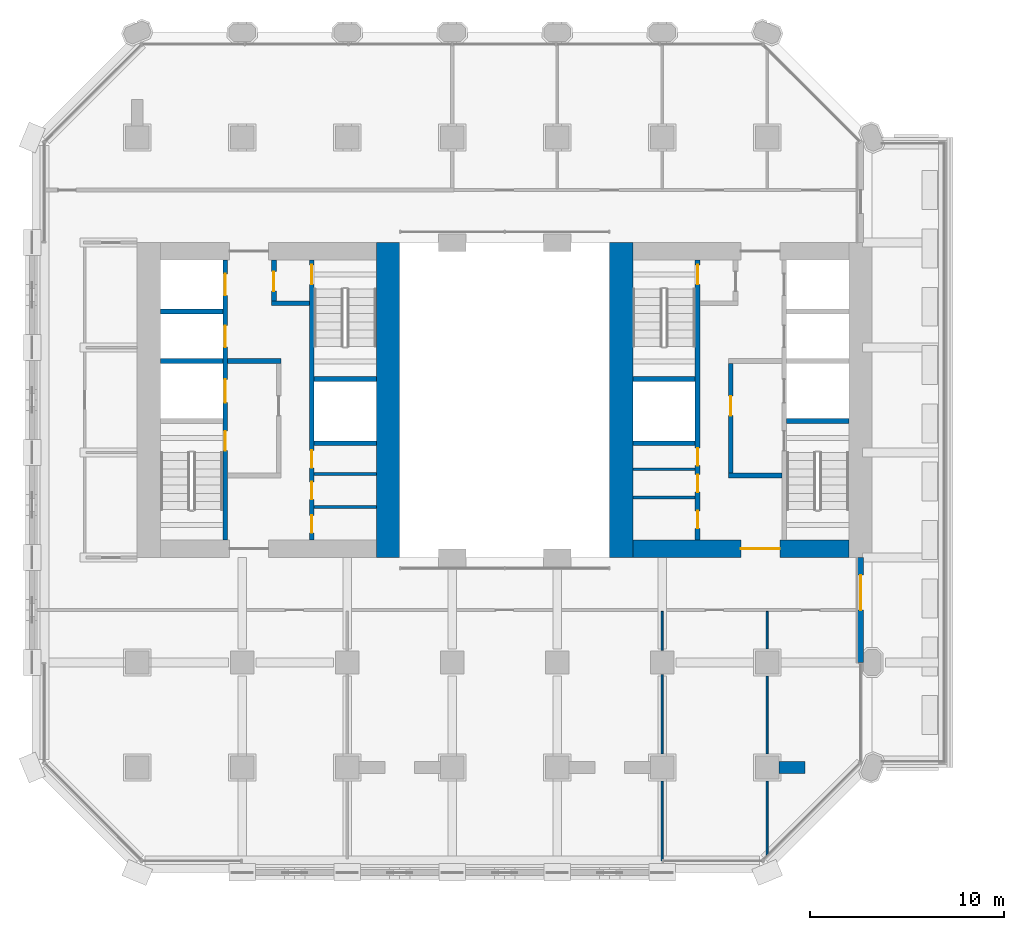
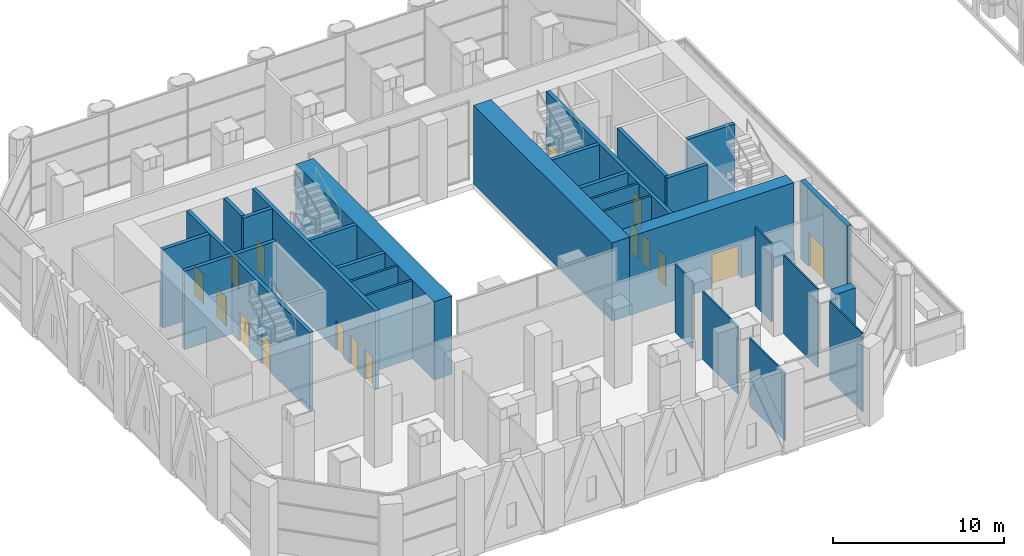
# One storey, part 13 of 34: 30 walls, 16 doors, 16 openings.
"""IFC4 building model written with IfcOpenShell, lengths in metres."""

import ifcopenshell
import ifcopenshell.guid

model = None  # the IFC model being written
_history = None  # IfcOwnerHistory: only IFC2X3 demands one
_inside = {}  # id of a spatial element -> (the spatial element, [elements in it])
_under = {}  # id of a project, library or spatial element -> (it, [spatial elements below it])
_declared = {}  # id of a project -> (the project, [libraries it declares])
_typed = {}  # id of a type object -> (the type object, [elements of that type])
_made_of = {}  # id of a material, layer set ... -> (it, [elements and type objects made of it])


def new_model(schema):
    """Start an empty IFC model of exactly this schema.

    Asked for "IFC4X3", IfcOpenShell would pick the latest addendum, in which some entities
    have other attributes; the version numbers below select the first issue.
    IFC2X3 requires an IfcOwnerHistory on every rooted entity: one is made here for all.
    """
    global model, _history
    if schema == "IFC4X3":
        model = ifcopenshell.file(schema_version=(4, 3, 0, 0))
    else:
        model = ifcopenshell.file(schema=schema)
    _inside.clear()
    _under.clear()
    _declared.clear()
    _typed.clear()
    _made_of.clear()
    _history = None
    if model.schema == "IFC2X3":
        org = make("IfcOrganization", Name="unknown")
        user = make(
            "IfcPersonAndOrganization",
            ThePerson=make("IfcPerson", FamilyName="unknown"),
            TheOrganization=org,
        )
        app = make(
            "IfcApplication",
            ApplicationDeveloper=org,
            Version="unknown",
            ApplicationFullName="unknown",
            ApplicationIdentifier="unknown",
        )
        _history = make(
            "IfcOwnerHistory",
            OwningUser=user,
            OwningApplication=app,
            ChangeAction="ADDED",
            CreationDate=0,
        )
    return model


def make(cls, **values):
    """One entity of the class cls with the attributes given. An attribute that is None is left unset."""
    return model.create_entity(
        cls, **{name: value for name, value in values.items() if value is not None}
    )


def rooted(cls, **values):
    """An entity with a GlobalId (a new one), such as an element, a storey or a relation."""
    return make(cls, GlobalId=ifcopenshell.guid.new(), OwnerHistory=_history, **values)


def si_unit(unit_type, name, prefix=None):
    """IfcSIUnit, for example si_unit("LENGTHUNIT", "METRE", prefix="MILLI")."""
    return make("IfcSIUnit", UnitType=unit_type, Prefix=prefix, Name=name)


def assignment(units):
    """IfcUnitAssignment: the units of a project."""
    return None if units is None else make("IfcUnitAssignment", Units=units)


def point(xyz):
    """IfcCartesianPoint."""
    return None if xyz is None else make("IfcCartesianPoint", Coordinates=xyz)


def direction(xyz):
    """IfcDirection."""
    return None if xyz is None else make("IfcDirection", DirectionRatios=xyz)


def frame(location, z_axis=None, x_axis=None):
    """IfcAxis2Placement3D, a coordinate frame: its origin and axes. An axis left out is left unset."""
    return make(
        "IfcAxis2Placement3D",
        Location=point(location),
        Axis=direction(z_axis),
        RefDirection=direction(x_axis),
    )


def frame_2d(location, x_axis=None):
    """IfcAxis2Placement2D, a coordinate frame in the plane: its origin and x axis."""
    return make(
        "IfcAxis2Placement2D", Location=point(location), RefDirection=direction(x_axis)
    )


def origin():
    """The frame at (0, 0, 0) with its axes left unset."""
    return frame((0.0, 0.0, 0.0))


def place(relative_to, where):
    """IfcLocalPlacement: puts the frame where relative to a parent placement (None: the world)."""
    return make(
        "IfcLocalPlacement", PlacementRelTo=relative_to, RelativePlacement=where
    )


def context(
    kind, dimensions, precision=None, world=None, true_north=None, identifier=None
):
    """IfcGeometricRepresentationContext, for example the 3D "Model" context."""
    return make(
        "IfcGeometricRepresentationContext",
        ContextIdentifier=identifier,
        ContextType=kind,
        CoordinateSpaceDimension=dimensions,
        Precision=precision,
        WorldCoordinateSystem=world,
        TrueNorth=true_north,
    )


def subcontext(parent, identifier, kind, view, scale=None):
    """IfcGeometricRepresentationSubContext, for example "Body" below "Model"."""
    return make(
        "IfcGeometricRepresentationSubContext",
        ContextIdentifier=identifier,
        ContextType=kind,
        ParentContext=parent,
        TargetScale=scale,
        TargetView=view,
    )


def project(units=None, contexts=None):
    """IfcProject with its units and contexts."""
    return rooted(
        "IfcProject",
        Name="project",
        RepresentationContexts=contexts,
        UnitsInContext=assignment(units),
    )


def spatial(cls, under=None, at=None, **own):
    """A site, building, storey or space (cls), placed at a placement, below another one or the project."""
    s = rooted(cls, ObjectPlacement=at, **own)
    if under is not None:
        _under.setdefault(under.id(), (under, []))[1].append(s)
    return s


def profile(cls, at=None, kind="AREA", **sizes):
    """A parametric profile (cls). Its sizes go by their IFC names, for example OverallWidth=200.0."""
    return make(cls, ProfileType=kind, Position=at, **sizes)


def rectangle(**sizes):
    """IfcRectangleProfileDef."""
    return profile("IfcRectangleProfileDef", **sizes)


def extrude(swept, where, along, depth):
    """IfcExtrudedAreaSolid: the profile swept, set in the frame where, extruded along a direction by depth."""
    return make(
        "IfcExtrudedAreaSolid",
        SweptArea=swept,
        Position=where,
        ExtrudedDirection=direction(along),
        Depth=depth,
    )


def shape(context_of_items, identifier, shape_type, items):
    """IfcShapeRepresentation: the items that make up one representation, for example the "Body"."""
    return make(
        "IfcShapeRepresentation",
        ContextOfItems=context_of_items,
        RepresentationIdentifier=identifier,
        RepresentationType=shape_type,
        Items=items,
    )


def material(Name=None, Category=None):
    """IfcMaterial."""
    return make("IfcMaterial", Name=Name, Category=Category)


def layer(
    of_material, thickness, ventilated=None, Name=None, Category=None, Priority=None
):
    """IfcMaterialLayer: one layer of a wall or slab, of a material (None: an air gap)."""
    return make(
        "IfcMaterialLayer",
        Material=of_material,
        LayerThickness=thickness,
        IsVentilated=ventilated,
        Name=Name,
        Category=Category,
        Priority=Priority,
    )


def layer_set(layers, Name=None):
    """IfcMaterialLayerSet."""
    return make("IfcMaterialLayerSet", MaterialLayers=layers, LayerSetName=Name)


def made_of(thing, what):
    """Note that an element or type object is made of a material, layer set ...; save() writes the relation."""
    if what is not None:
        _made_of.setdefault(what.id(), (what, []))[1].append(thing)
    return thing


def type_object(cls, material=None, **own):
    """A type object (cls), such as IfcWallType, which elements share."""
    return made_of(rooted(cls, **own), material)


def element(
    cls,
    number,
    at=None,
    inside=None,
    cuts=None,
    type_object=None,
    material=None,
    context=None,
    identifier="Body",
    shape_type=None,
    held_by="IfcProductDefinitionShape",
    body=None,
    shapes=None,
    **own,
):
    """One element of the class cls, such as IfcWall. Its Tag is "e" and its number.

    at: its placement. inside: the storey or other place that contains it. cuts: it is an
    opening in that element (IfcRelVoidsElement). A single representation is given by context,
    identifier, shape_type and body (its items); several are given by shapes. held_by: the class
    of the entity that holds the representations. save() writes the other relations.
    """
    e = rooted(cls, Tag="e%d" % number, ObjectPlacement=at, **own)
    if body is not None:
        shapes = [shape(context, identifier, shape_type, body)]
    if shapes is not None:
        e.Representation = make(held_by, Representations=shapes)
    if inside is not None:
        _inside.setdefault(inside.id(), (inside, []))[1].append(e)
    if cuts is not None:
        rooted(
            "IfcRelVoidsElement", RelatingBuildingElement=cuts, RelatedOpeningElement=e
        )
    if type_object is not None:
        _typed.setdefault(type_object.id(), (type_object, []))[1].append(e)
    return made_of(e, material)


def fill(opening, filler):
    """IfcRelFillsElement: the door or window that sits in an opening."""
    return rooted(
        "IfcRelFillsElement",
        RelatingOpeningElement=opening,
        RelatedBuildingElement=filler,
    )


def aggregate(whole, parts):
    """IfcRelAggregates: a whole, such as a stair, and the parts it consists of."""
    return rooted("IfcRelAggregates", RelatingObject=whole, RelatedObjects=parts)


def save(model, path):
    """Write the relations noted so far, then the file.

    IfcRelAggregates (storeys below a building ...), IfcRelContainedInSpatialStructure (elements
    in a storey), IfcRelDefinesByType, IfcRelAssociatesMaterial and IfcRelDeclares: one each for
    every whole, place, type object, material and project.
    """
    for whole, parts in _under.values():
        aggregate(whole, parts)
    for where, things in _inside.values():
        rooted(
            "IfcRelContainedInSpatialStructure",
            RelatedElements=things,
            RelatingStructure=where,
        )
    for kind, things in _typed.values():
        rooted("IfcRelDefinesByType", RelatedObjects=things, RelatingType=kind)
    for what, things in _made_of.values():
        rooted("IfcRelAssociatesMaterial", RelatedObjects=things, RelatingMaterial=what)
    for by, libraries in _declared.values():
        rooted("IfcRelDeclares", RelatingContext=by, RelatedDefinitions=libraries)
    model.write(path)


model = new_model("IFC4")

# Units and contexts
model_context = context("Model", 3, precision=1e-05, world=origin(), true_north=direction((0.0, 1.0)))
body_context = subcontext(model_context, "Body", "Model", "MODEL_VIEW")
ifc_project = project(units=[si_unit("LENGTHUNIT", "METRE"), si_unit("AREAUNIT", "SQUARE_METRE"), si_unit("VOLUMEUNIT", "CUBIC_METRE"), si_unit("PLANEANGLEUNIT", "RADIAN"), si_unit("MASSUNIT", "GRAM", prefix="KILO")], contexts=[model_context])

# Site, building, storey
site_placement = place(None, origin())
site = spatial("IfcSite", under=ifc_project, at=site_placement, CompositionType="ELEMENT")
building_placement = place(site_placement, origin())
building = spatial("IfcBuilding", under=site, at=building_placement, Name="Tabaq Tower and Sports Hall", CompositionType="ELEMENT")
storey_placement = place(building_placement, frame((0.0, 0.0, 8.39990234375)))
storey = spatial("IfcBuildingStorey", under=building, at=storey_placement, Name="L01", CompositionType="ELEMENT", Elevation=8.39990234375)

# Walls
ifc_material_1 = material(Name="Blockwork", Category="masonry")
ifc_layer_1 = layer(ifc_material_1, 0.14990234375)
ifc_layer_set_1 = layer_set([ifc_layer_1], Name="Core room partition 150 Blockwork")
wall_type_1 = type_object("IfcWallType", Name="Core room partition 150 Blockwork", PredefinedType="PARTITIONING", material=ifc_layer_set_1)
for number, where, z_axis, x_axis, name in (
    (1, (14.5, 18.797119140625, 0.0), (0.0, 0.0, 1.0), (1.0, 0.0, 0.0), "Core room partition W L01"),
    (2, (14.5, 20.493896484375, 0.0), (0.0, 0.0, 1.0), (1.0, 0.0, 0.0), "Core room partition W L01"),
):
    element("IfcWall", number, at=place(storey_placement, frame(where, z_axis=z_axis, x_axis=x_axis)), inside=storey, type_object=wall_type_1, Name=name, PredefinedType="PARTITIONING", context=body_context, shape_type="SweptSolid", body=[
        extrude(rectangle(XDim=3.199951171875, YDim=0.14990234375, at=frame_2d((1.60009765625, 0.0))), origin(), (0.0, 0.0, 1.0), 5.60009765625),
    ])
for number, where, z_axis, x_axis, name in (
    (3, (30.89990234375, 19.282958984375, 0.0), (0.0, 0.0, 1.0), (1.0, 0.0, 0.0), "Core room partition E L01"),
    (4, (30.89990234375, 20.738037109375, 0.0), (0.0, 0.0, 1.0), (1.0, 0.0, 0.0), "Core room partition E L01"),
):
    element("IfcWall", number, at=place(storey_placement, frame(where, z_axis=z_axis, x_axis=x_axis)), inside=storey, type_object=wall_type_1, Name=name, PredefinedType="PARTITIONING", context=body_context, shape_type="SweptSolid", body=[
        extrude(rectangle(XDim=3.2001953125, YDim=0.14990234375, at=frame_2d((1.60009765625, 0.0))), origin(), (0.0, 0.0, 1.0), 5.60009765625),
    ])
ifc_material_2 = material(Name="Concrete C60/75", Category="concrete")
ifc_layer_2 = layer(ifc_material_2, 1.199951171875)
ifc_layer_set_2 = layer_set([ifc_layer_2], Name="Core wall 1200 Concrete C60/75")
wall_type_2 = type_object("IfcWallType", Name="Core wall 1200 Concrete C60/75", PredefinedType="SOLIDWALL", material=ifc_layer_set_2)
for number, where, z_axis, x_axis, name in (
    (5, (18.300048828125, 32.39990234375, 0.0), (0.0, 0.0, 1.0), (0.0, -1.0, 0.0), "Core wall W L01"),
    (6, (30.300048828125, 16.199951171875, 0.0), (0.0, 0.0, 1.0), (0.0, 1.0, 0.0), "Core wall E L01"),
):
    element("IfcWall", number, at=place(storey_placement, frame(where, z_axis=z_axis, x_axis=x_axis)), inside=storey, type_object=wall_type_2, Name=name, PredefinedType="SOLIDWALL", context=body_context, shape_type="SweptSolid", body=[
        extrude(rectangle(XDim=16.199951171875, YDim=1.199951171875, at=frame_2d((8.10009765625, 0.0))), origin(), (0.0, 0.0, 1.0), 5.60009765625),
    ])

# Wall, opening, door
ifc_material_3 = material(Name="Concrete C60/75", Category="concrete")
ifc_layer_3 = layer(ifc_material_3, 0.89990234375)
ifc_layer_set_3 = layer_set([ifc_layer_3], Name="Core wall 900 Concrete C60/75")
wall_type_3 = type_object("IfcWallType", Name="Core wall 900 Concrete C60/75", PredefinedType="SOLIDWALL", material=ifc_layer_set_3)
wall_1_placement = place(storey_placement, frame((42.0, 16.64990234375, 0.0), z_axis=(0.0, 0.0, 1.0), x_axis=(-1.0, 0.0, 0.0)))
wall_1 = element("IfcWall", 7, at=wall_1_placement, inside=storey, type_object=wall_type_3, Name="Core wall E L01", PredefinedType="SOLIDWALL", context=body_context, shape_type="SweptSolid", body=[
    extrude(rectangle(XDim=11.10009765625, YDim=0.89990234375, at=frame_2d((5.550048828125, 0.0))), origin(), (0.0, 0.0, 1.0), 5.60009765625),
])
opening_1_placement = place(wall_1_placement, frame((3.550048828125, 0.0, 0.0)))
opening_1 = element("IfcOpeningElement", 8, at=opening_1_placement, cuts=wall_1, Name="Opening PD-EL01-01", PredefinedType="OPENING", context=body_context, shape_type="SweptSolid", body=[
    extrude(rectangle(XDim=2.0, YDim=2.39990234375, at=frame_2d((1.0, 1.199951171875))), frame((0.0, 0.449951171875, 0.0), z_axis=(0.0, -1.0, 0.0), x_axis=(1.0, 0.0, 0.0)), (0.0, 0.0, 1.0), 0.89990234375),
])
ifc_material_4 = material(Name="Steel fire door", Category="steel")
door_type_1 = type_object("IfcDoorType", Name="Core entrance door 2000", OperationType="DOUBLE_DOOR_SINGLE_SWING", PredefinedType="DOOR", material=ifc_material_4)
door_1_placement = place(opening_1_placement, origin())
door_1 = element("IfcDoor", 9, at=door_1_placement, inside=storey, type_object=door_type_1, Name="Core entrance south E L01", OperationType="DOUBLE_DOOR_SINGLE_SWING", OverallHeight=2.39990234375, OverallWidth=2.0, PredefinedType="DOOR", context=body_context, shape_type="SweptSolid", body=[
    extrude(rectangle(XDim=2.0, YDim=2.39990234375, at=frame_2d((1.0, 1.199951171875))), frame((0.0, 0.02490234375, 0.0), z_axis=(0.0, -1.0, 0.0), x_axis=(1.0, 0.0, 0.0)), (0.0, 0.0, 1.0), 0.050048828125),
])
fill(opening_1, door_1)

# Walls
ifc_material_5 = material(Name="Gypsum board on steel studs", Category="steel")
ifc_layer_4 = layer(ifc_material_5, 0.10009765625)
ifc_layer_set_4 = layer_set([ifc_layer_4], Name="Partition 100 Gypsum board")
wall_type_4 = type_object("IfcWallType", Name="Partition 100 Gypsum board", PredefinedType="PARTITIONING", material=ifc_layer_set_4)
wall_2_placement = place(storey_placement, frame((32.39990234375, 13.425048828125, 0.0), z_axis=(0.0, 0.0, 1.0), x_axis=(0.0, -1.0, 0.0)))
element("IfcWall", 10, at=wall_2_placement, inside=storey, type_object=wall_type_4, Name="Partition wall L01", PredefinedType="PARTITIONING", context=body_context, shape_type="SweptSolid", body=[
    extrude(rectangle(XDim=2.005126953125, YDim=0.10009765625, at=frame_2d((1.00244140625, 0.0))), origin(), (0.0, 0.0, 1.0), 4.85009765625),
])
wall_3_placement = place(storey_placement, frame((32.39990234375, 10.179931640625, 0.0), z_axis=(0.0, 0.0, 1.0), x_axis=(0.0, -1.0, 0.0)))
element("IfcWall", 11, at=wall_3_placement, inside=storey, type_object=wall_type_4, Name="Partition wall L01", PredefinedType="PARTITIONING", context=body_context, shape_type="SweptSolid", body=[
    extrude(rectangle(XDim=4.079345703125, YDim=0.10009765625, at=frame_2d((2.03955078125, 0.0))), origin(), (0.0, 0.0, 1.0), 4.85009765625),
])
wall_4_placement = place(storey_placement, frame((32.39990234375, 4.69921875, 0.0), z_axis=(0.0, 0.0, 1.0), x_axis=(0.0, -1.0, 0.0)))
element("IfcWall", 12, at=wall_4_placement, inside=storey, type_object=wall_type_4, Name="Partition wall L01", PredefinedType="PARTITIONING", context=body_context, shape_type="SweptSolid", body=[
    extrude(rectangle(XDim=4.09912109375, YDim=0.10009765625, at=frame_2d((2.049560546875, 0.0))), origin(), (0.0, 0.0, 1.0), 4.85009765625),
])
wall_5_placement = place(storey_placement, frame((37.800048828125, 0.8984375, 0.0), z_axis=(0.0, 0.0, 1.0), x_axis=(0.0, 1.0, 0.0)))
element("IfcWall", 13, at=wall_5_placement, inside=storey, type_object=wall_type_4, Name="Partition wall L01", PredefinedType="PARTITIONING", context=body_context, shape_type="SweptSolid", body=[
    extrude(rectangle(XDim=3.80078125, YDim=0.10009765625, at=frame_2d((1.900390625, 0.0))), origin(), (0.0, 0.0, 1.0), 5.60009765625),
])
wall_6_placement = place(storey_placement, frame((37.800048828125, 6.1005859375, 0.0), z_axis=(0.0, 0.0, 1.0), x_axis=(0.0, 1.0, 0.0)))
element("IfcWall", 14, at=wall_6_placement, inside=storey, type_object=wall_type_4, Name="Partition wall L01", PredefinedType="PARTITIONING", context=body_context, shape_type="SweptSolid", body=[
    extrude(rectangle(XDim=3.998779296875, YDim=0.10009765625, at=frame_2d((1.99951171875, 0.0))), origin(), (0.0, 0.0, 1.0), 5.60009765625),
])
wall_7_placement = place(storey_placement, frame((37.800048828125, 11.500732421875, 0.0), z_axis=(0.0, 0.0, 1.0), x_axis=(0.0, 1.0, 0.0)))
element("IfcWall", 15, at=wall_7_placement, inside=storey, type_object=wall_type_4, Name="Partition wall L01", PredefinedType="PARTITIONING", context=body_context, shape_type="SweptSolid", body=[
    extrude(rectangle(XDim=1.92431640625, YDim=0.10009765625, at=frame_2d((0.962158203125, 0.0))), origin(), (0.0, 0.0, 1.0), 5.60009765625),
])
ifc_material_6 = material(Name="Concrete C60/75", Category="concrete")
ifc_layer_5 = layer(ifc_material_6, 0.60009765625)
ifc_layer_set_5 = layer_set([ifc_layer_5], Name="RC TRANSFER WALL 600 C60/75")
wall_type_5 = type_object("IfcWallType", Name="RC TRANSFER WALL 600 C60/75", PredefinedType="SHEAR", material=ifc_layer_set_5)
wall_8_placement = place(storey_placement, frame((38.39990234375, 5.39990234375, 0.0), z_axis=(0.0, 0.0, 1.0), x_axis=(1.0, 0.0, 0.0)))
element("IfcWall", 16, at=wall_8_placement, inside=storey, type_object=wall_type_5, Name="Transfer Wall L01 South 7", PredefinedType="SHEAR", context=body_context, shape_type="SweptSolid", body=[
    extrude(rectangle(XDim=1.356201171875, YDim=0.60009765625, at=frame_2d((0.67822265625, 0.0))), origin(), (0.0, 0.0, 1.0), 5.60009765625),
])

# Wall, openings, doors
ifc_material_7 = material(Name="Concrete C40/50", Category="concrete")
ifc_layer_6 = layer(ifc_material_7, 0.25)
ifc_layer_set_6 = layer_set([ifc_layer_6], Name="Shaft and stair wall 250 Concrete C40/50")
wall_type_6 = type_object("IfcWallType", Name="Shaft and stair wall 250 Concrete C40/50", PredefinedType="SOLIDWALL", material=ifc_layer_set_6)
wall_9_placement = place(storey_placement, frame((9.925048828125, 17.10009765625, 0.0), z_axis=(0.0, 0.0, 1.0), x_axis=(0.0, 1.0, 0.0)))
wall_9 = element("IfcWall", 17, at=wall_9_placement, inside=storey, type_object=wall_type_6, Name="Shaft wall W L01", PredefinedType="SOLIDWALL", context=body_context, shape_type="SweptSolid", body=[
    extrude(rectangle(XDim=14.39990234375, YDim=0.25, at=frame_2d((7.199951171875, 0.0))), origin(), (0.0, 0.0, 1.0), 5.60009765625),
])
opening_2_placement = place(wall_9_placement, frame((4.60009765625, 0.0, 0.0)))
opening_2 = element("IfcOpeningElement", 18, at=opening_2_placement, cuts=wall_9, Name="Opening SD-WL01-03", PredefinedType="OPENING", context=body_context, shape_type="SweptSolid", body=[
    extrude(rectangle(XDim=1.0, YDim=2.10009765625, at=frame_2d((0.5, 1.050048828125))), frame((0.0, 0.125, 0.0), z_axis=(0.0, -1.0, 0.0), x_axis=(1.0, 0.0, 0.0)), (0.0, 0.0, 1.0), 0.25),
])
opening_3_placement = place(wall_9_placement, frame((7.0625, 0.0, 0.0)))
opening_3 = element("IfcOpeningElement", 19, at=opening_3_placement, cuts=wall_9, Name="Opening LD-FF1-L01", PredefinedType="OPENING", context=body_context, shape_type="SweptSolid", body=[
    extrude(rectangle(XDim=1.199951171875, YDim=2.10009765625, at=frame_2d((0.60009765625, 1.050048828125))), frame((0.0, 0.125, 0.0), z_axis=(0.0, -1.0, 0.0), x_axis=(1.0, 0.0, 0.0)), (0.0, 0.0, 1.0), 0.25),
])
opening_4_placement = place(wall_9_placement, frame((9.925048828125, 0.0, 0.0)))
opening_4 = element("IfcOpeningElement", 20, at=opening_4_placement, cuts=wall_9, Name="Opening LD-LR1-L01", PredefinedType="OPENING", context=body_context, shape_type="SweptSolid", body=[
    extrude(rectangle(XDim=1.10009765625, YDim=2.10009765625, at=frame_2d((0.550048828125, 1.050048828125))), frame((0.0, 0.125, 0.0), z_axis=(0.0, -1.0, 0.0), x_axis=(1.0, 0.0, 0.0)), (0.0, 0.0, 1.0), 0.25),
])
opening_5_placement = place(wall_9_placement, frame((12.58740234375, 0.0, 0.0)))
opening_5 = element("IfcOpeningElement", 21, at=opening_5_placement, cuts=wall_9, Name="Opening LD-LR2-L01", PredefinedType="OPENING", context=body_context, shape_type="SweptSolid", body=[
    extrude(rectangle(XDim=1.10009765625, YDim=2.10009765625, at=frame_2d((0.550048828125, 1.050048828125))), frame((0.0, 0.125, 0.0), z_axis=(0.0, -1.0, 0.0), x_axis=(1.0, 0.0, 0.0)), (0.0, 0.0, 1.0), 0.25),
])
ifc_material_8 = material(Name="Stainless steel", Category="steel")
door_type_2 = type_object("IfcDoorType", Name="Lift landing door 1100", OperationType="DOUBLE_DOOR_SLIDING", PredefinedType="DOOR", material=ifc_material_8)
door_2_placement = place(opening_4_placement, origin())
door_2 = element("IfcDoor", 22, at=door_2_placement, inside=storey, type_object=door_type_2, Name="Lift landing door LR1 W L01", OperationType="DOUBLE_DOOR_SLIDING", OverallHeight=2.10009765625, OverallWidth=1.10009765625, PredefinedType="DOOR", context=body_context, shape_type="SweptSolid", body=[
    extrude(rectangle(XDim=1.10009765625, YDim=2.10009765625, at=frame_2d((0.550048828125, 1.050048828125))), frame((0.0, 0.02490234375, 0.0), z_axis=(0.0, -1.0, 0.0), x_axis=(1.0, 0.0, 0.0)), (0.0, 0.0, 1.0), 0.050048828125),
])
fill(opening_4, door_2)
door_3_placement = place(opening_5_placement, origin())
door_3 = element("IfcDoor", 23, at=door_3_placement, inside=storey, type_object=door_type_2, Name="Lift landing door LR2 W L01", OperationType="DOUBLE_DOOR_SLIDING", OverallHeight=2.10009765625, OverallWidth=1.10009765625, PredefinedType="DOOR", context=body_context, shape_type="SweptSolid", body=[
    extrude(rectangle(XDim=1.10009765625, YDim=2.10009765625, at=frame_2d((0.550048828125, 1.050048828125))), frame((0.0, 0.02490234375, 0.0), z_axis=(0.0, -1.0, 0.0), x_axis=(1.0, 0.0, 0.0)), (0.0, 0.0, 1.0), 0.050048828125),
])
fill(opening_5, door_3)
ifc_material_9 = material(Name="Stainless steel", Category="steel")
door_type_3 = type_object("IfcDoorType", Name="Lift landing door 1200", OperationType="DOUBLE_DOOR_SLIDING", PredefinedType="DOOR", material=ifc_material_9)
door_4_placement = place(opening_3_placement, origin())
door_4 = element("IfcDoor", 24, at=door_4_placement, inside=storey, type_object=door_type_3, Name="Lift landing door FF1 W L01", OperationType="DOUBLE_DOOR_SLIDING", OverallHeight=2.10009765625, OverallWidth=1.199951171875, PredefinedType="DOOR", context=body_context, shape_type="SweptSolid", body=[
    extrude(rectangle(XDim=1.199951171875, YDim=2.10009765625, at=frame_2d((0.60009765625, 1.050048828125))), frame((0.0, 0.02490234375, 0.0), z_axis=(0.0, -1.0, 0.0), x_axis=(1.0, 0.0, 0.0)), (0.0, 0.0, 1.0), 0.050048828125),
])
fill(opening_3, door_4)
ifc_material_10 = material(Name="Steel fire door", Category="steel")
door_type_4 = type_object("IfcDoorType", Name="Stair door 1000", OperationType="SINGLE_SWING_LEFT", PredefinedType="DOOR", material=ifc_material_10)
door_5_placement = place(opening_2_placement, origin())
door_5 = element("IfcDoor", 25, at=door_5_placement, inside=storey, type_object=door_type_4, Name="Stair door ST1 W L01", OperationType="SINGLE_SWING_LEFT", OverallHeight=2.10009765625, OverallWidth=1.0, PredefinedType="DOOR", context=body_context, shape_type="SweptSolid", body=[
    extrude(rectangle(XDim=1.0, YDim=2.10009765625, at=frame_2d((0.5, 1.050048828125))), frame((0.0, 0.02490234375, 0.0), z_axis=(0.0, -1.0, 0.0), x_axis=(1.0, 0.0, 0.0)), (0.0, 0.0, 1.0), 0.050048828125),
])
fill(opening_2, door_5)

wall_10_placement = place(storey_placement, frame((14.375, 17.10009765625, 0.0), z_axis=(0.0, 0.0, 1.0), x_axis=(0.0, 1.0, 0.0)))
wall_10 = element("IfcWall", 26, at=wall_10_placement, inside=storey, type_object=wall_type_6, Name="Shaft wall W L01", PredefinedType="SOLIDWALL", context=body_context, shape_type="SweptSolid", body=[
    extrude(rectangle(XDim=14.39990234375, YDim=0.25, at=frame_2d((7.199951171875, 0.0))), origin(), (0.0, 0.0, 1.0), 5.60009765625),
])
opening_6_placement = place(wall_10_placement, frame((13.14990234375, 0.0, 0.0)))
opening_6 = element("IfcOpeningElement", 27, at=opening_6_placement, cuts=wall_10, Name="Opening SD-WL01-05", PredefinedType="OPENING", context=body_context, shape_type="SweptSolid", body=[
    extrude(rectangle(XDim=1.0, YDim=2.10009765625, at=frame_2d((0.5, 1.050048828125))), frame((0.0, 0.125, 0.0), z_axis=(0.0, -1.0, 0.0), x_axis=(1.0, 0.0, 0.0)), (0.0, 0.0, 1.0), 0.25),
])
opening_7_placement = place(wall_10_placement, frame((0.361083984375, 0.0, 0.0)))
opening_7 = element("IfcOpeningElement", 28, at=opening_7_placement, cuts=wall_10, Name="Opening RD-WL01-10", PredefinedType="OPENING", context=body_context, shape_type="SweptSolid", body=[
    extrude(rectangle(XDim=0.89990234375, YDim=2.10009765625, at=frame_2d((0.449951171875, 1.050048828125))), frame((0.0, 0.125, 0.0), z_axis=(0.0, -1.0, 0.0), x_axis=(1.0, 0.0, 0.0)), (0.0, 0.0, 1.0), 0.25),
])
opening_8_placement = place(wall_10_placement, frame((2.095458984375, 0.0, 0.0)))
opening_8 = element("IfcOpeningElement", 29, at=opening_8_placement, cuts=wall_10, Name="Opening RD-WL01-11", PredefinedType="OPENING", context=body_context, shape_type="SweptSolid", body=[
    extrude(rectangle(XDim=0.89990234375, YDim=2.10009765625, at=frame_2d((0.449951171875, 1.050048828125))), frame((0.0, 0.125, 0.0), z_axis=(0.0, -1.0, 0.0), x_axis=(1.0, 0.0, 0.0)), (0.0, 0.0, 1.0), 0.25),
])
opening_9_placement = place(wall_10_placement, frame((3.70947265625, 0.0, 0.0)))
opening_9 = element("IfcOpeningElement", 30, at=opening_9_placement, cuts=wall_10, Name="Opening RD-WL01-12", PredefinedType="OPENING", context=body_context, shape_type="SweptSolid", body=[
    extrude(rectangle(XDim=0.89990234375, YDim=2.10009765625, at=frame_2d((0.449951171875, 1.050048828125))), frame((0.0, 0.125, 0.0), z_axis=(0.0, -1.0, 0.0), x_axis=(1.0, 0.0, 0.0)), (0.0, 0.0, 1.0), 0.25),
])
ifc_material_11 = material(Name="Steel fire door", Category="steel")
door_type_5 = type_object("IfcDoorType", Name="Core room door 900", OperationType="SINGLE_SWING_LEFT", PredefinedType="DOOR", material=ifc_material_11)
door_6_placement = place(opening_7_placement, origin())
door_6 = element("IfcDoor", 31, at=door_6_placement, inside=storey, type_object=door_type_5, Name="Door Accessible WC W L01", OperationType="SINGLE_SWING_LEFT", OverallHeight=2.10009765625, OverallWidth=0.89990234375, PredefinedType="DOOR", context=body_context, shape_type="SweptSolid", body=[
    extrude(rectangle(XDim=0.89990234375, YDim=2.10009765625, at=frame_2d((0.449951171875, 1.050048828125))), frame((0.0, 0.02490234375, 0.0), z_axis=(0.0, -1.0, 0.0), x_axis=(1.0, 0.0, 0.0)), (0.0, 0.0, 1.0), 0.050048828125),
])
fill(opening_7, door_6)
door_7_placement = place(opening_8_placement, origin())
door_7 = element("IfcDoor", 32, at=door_7_placement, inside=storey, type_object=door_type_5, Name="Door Unisex WC W L01", OperationType="SINGLE_SWING_LEFT", OverallHeight=2.10009765625, OverallWidth=0.89990234375, PredefinedType="DOOR", context=body_context, shape_type="SweptSolid", body=[
    extrude(rectangle(XDim=0.89990234375, YDim=2.10009765625, at=frame_2d((0.449951171875, 1.050048828125))), frame((0.0, 0.02490234375, 0.0), z_axis=(0.0, -1.0, 0.0), x_axis=(1.0, 0.0, 0.0)), (0.0, 0.0, 1.0), 0.050048828125),
])
fill(opening_8, door_7)
door_8_placement = place(opening_9_placement, origin())
door_8 = element("IfcDoor", 33, at=door_8_placement, inside=storey, type_object=door_type_5, Name="Door Cleaner's Store W L01", OperationType="SINGLE_SWING_LEFT", OverallHeight=2.10009765625, OverallWidth=0.89990234375, PredefinedType="DOOR", context=body_context, shape_type="SweptSolid", body=[
    extrude(rectangle(XDim=0.89990234375, YDim=2.10009765625, at=frame_2d((0.449951171875, 1.050048828125))), frame((0.0, 0.02490234375, 0.0), z_axis=(0.0, -1.0, 0.0), x_axis=(1.0, 0.0, 0.0)), (0.0, 0.0, 1.0), 0.050048828125),
])
fill(opening_9, door_8)
door_9_placement = place(opening_6_placement, origin())
door_9 = element("IfcDoor", 34, at=door_9_placement, inside=storey, type_object=door_type_4, Name="Stair door ST2 W L01", OperationType="SINGLE_SWING_LEFT", OverallHeight=2.10009765625, OverallWidth=1.0, PredefinedType="DOOR", context=body_context, shape_type="SweptSolid", body=[
    extrude(rectangle(XDim=1.0, YDim=2.10009765625, at=frame_2d((0.5, 1.050048828125))), frame((0.0, 0.02490234375, 0.0), z_axis=(0.0, -1.0, 0.0), x_axis=(1.0, 0.0, 0.0)), (0.0, 0.0, 1.0), 0.050048828125),
])
fill(opening_6, door_9)

# Walls
for number, where, z_axis, x_axis, name in (
    (35, (14.5, 25.375, 0.0), (0.0, 0.0, 1.0), (1.0, 0.0, 0.0), "Stair enclosure wall W L01"),
    (36, (14.5, 22.074951171875, 0.0), (0.0, 0.0, 1.0), (1.0, 0.0, 0.0), "Shaft wall W L01"),
    (37, (6.60009765625, 26.300048828125, 0.0), (0.0, 0.0, 1.0), (1.0, 0.0, 0.0), "Shaft wall W L01"),
):
    element("IfcWall", number, at=place(storey_placement, frame(where, z_axis=z_axis, x_axis=x_axis)), inside=storey, type_object=wall_type_6, Name=name, PredefinedType="SOLIDWALL", context=body_context, shape_type="SweptSolid", body=[
        extrude(rectangle(XDim=3.199951171875, YDim=0.25, at=frame_2d((1.60009765625, 0.0))), origin(), (0.0, 0.0, 1.0), 5.60009765625),
    ])
wall_11_placement = place(storey_placement, frame((10.050048828125, 26.300048828125, 0.0), z_axis=(0.0, 0.0, 1.0), x_axis=(1.0, 0.0, 0.0)))
element("IfcWall", 38, at=wall_11_placement, inside=storey, type_object=wall_type_6, Name="Fire-fighting lobby wall W L01", PredefinedType="SOLIDWALL", context=body_context, shape_type="SweptSolid", body=[
    extrude(rectangle(XDim=2.75, YDim=0.25, at=frame_2d((1.375, 0.0))), origin(), (0.0, 0.0, 1.0), 5.60009765625),
])

# Wall, opening, door
wall_12_placement = place(storey_placement, frame((12.425048828125, 29.39990234375, 0.0), z_axis=(0.0, 0.0, 1.0), x_axis=(0.0, 1.0, 0.0)))
wall_12 = element("IfcWall", 39, at=wall_12_placement, inside=storey, type_object=wall_type_6, Name="Fire-fighting lobby wall W L01", PredefinedType="SOLIDWALL", context=body_context, shape_type="SweptSolid", body=[
    extrude(rectangle(XDim=2.10009765625, YDim=0.25, at=frame_2d((1.050048828125, 0.0))), origin(), (0.0, 0.0, 1.0), 5.60009765625),
])
opening_10_placement = place(wall_12_placement, frame((0.5, 0.0, 0.0)))
opening_10 = element("IfcOpeningElement", 40, at=opening_10_placement, cuts=wall_12, Name="Opening FD-WL01-06", PredefinedType="OPENING", context=body_context, shape_type="SweptSolid", body=[
    extrude(rectangle(XDim=1.0, YDim=2.10009765625, at=frame_2d((0.5, 1.050048828125))), frame((0.0, 0.125, 0.0), z_axis=(0.0, -1.0, 0.0), x_axis=(1.0, 0.0, 0.0)), (0.0, 0.0, 1.0), 0.25),
])
ifc_material_12 = material(Name="Steel fire door", Category="steel")
door_type_6 = type_object("IfcDoorType", Name="Fire-fighting lobby door 1000", OperationType="SINGLE_SWING_LEFT", PredefinedType="DOOR", material=ifc_material_12)
door_10_placement = place(opening_10_placement, origin())
door_10 = element("IfcDoor", 41, at=door_10_placement, inside=storey, type_object=door_type_6, Name="Stair lobby door W L01", OperationType="SINGLE_SWING_LEFT", OverallHeight=2.10009765625, OverallWidth=1.0, PredefinedType="DOOR", context=body_context, shape_type="SweptSolid", body=[
    extrude(rectangle(XDim=1.0, YDim=2.10009765625, at=frame_2d((0.5, 1.050048828125))), frame((0.0, 0.02490234375, 0.0), z_axis=(0.0, -1.0, 0.0), x_axis=(1.0, 0.0, 0.0)), (0.0, 0.0, 1.0), 0.050048828125),
])
fill(opening_10, door_10)

# Walls
wall_13_placement = place(storey_placement, frame((12.300048828125, 29.27490234375, 0.0), z_axis=(0.0, 0.0, 1.0), x_axis=(1.0, 0.0, 0.0)))
element("IfcWall", 42, at=wall_13_placement, inside=storey, type_object=wall_type_6, Name="Fire-fighting lobby wall W L01", PredefinedType="SOLIDWALL", context=body_context, shape_type="SweptSolid", body=[
    extrude(rectangle(XDim=1.949951171875, YDim=0.25, at=frame_2d((0.97509765625, 0.0))), origin(), (0.0, 0.0, 1.0), 5.60009765625),
])
wall_14_placement = place(storey_placement, frame((6.60009765625, 28.85009765625, 0.0), z_axis=(0.0, 0.0, 1.0), x_axis=(1.0, 0.0, 0.0)))
element("IfcWall", 43, at=wall_14_placement, inside=storey, type_object=wall_type_6, Name="Shaft wall W L01", PredefinedType="SOLIDWALL", context=body_context, shape_type="SweptSolid", body=[
    extrude(rectangle(XDim=3.199951171875, YDim=0.25, at=frame_2d((1.60009765625, 0.0))), origin(), (0.0, 0.0, 1.0), 5.60009765625),
])

# Wall, openings, doors
wall_15_placement = place(storey_placement, frame((34.22509765625, 17.10009765625, 0.0), z_axis=(0.0, 0.0, 1.0), x_axis=(0.0, 1.0, 0.0)))
wall_15 = element("IfcWall", 44, at=wall_15_placement, inside=storey, type_object=wall_type_6, Name="Shaft wall E L01", PredefinedType="SOLIDWALL", context=body_context, shape_type="SweptSolid", body=[
    extrude(rectangle(XDim=14.39990234375, YDim=0.25, at=frame_2d((7.199951171875, 0.0))), origin(), (0.0, 0.0, 1.0), 5.60009765625),
])
opening_11_placement = place(wall_15_placement, frame((13.14990234375, 0.0, 0.0)))
opening_11 = element("IfcOpeningElement", 45, at=opening_11_placement, cuts=wall_15, Name="Opening SD-EL01-05", PredefinedType="OPENING", context=body_context, shape_type="SweptSolid", body=[
    extrude(rectangle(XDim=1.0, YDim=2.10009765625, at=frame_2d((0.5, 1.050048828125))), frame((0.0, 0.125, 0.0), z_axis=(0.0, -1.0, 0.0), x_axis=(1.0, 0.0, 0.0)), (0.0, 0.0, 1.0), 0.25),
])
opening_12_placement = place(wall_15_placement, frame((0.60400390625, 0.0, 0.0)))
opening_12 = element("IfcOpeningElement", 46, at=opening_12_placement, cuts=wall_15, Name="Opening RD-EL01-10", PredefinedType="OPENING", context=body_context, shape_type="SweptSolid", body=[
    extrude(rectangle(XDim=0.89990234375, YDim=2.10009765625, at=frame_2d((0.449951171875, 1.050048828125))), frame((0.0, 0.125, 0.0), z_axis=(0.0, -1.0, 0.0), x_axis=(1.0, 0.0, 0.0)), (0.0, 0.0, 1.0), 0.25),
])
opening_13_placement = place(wall_15_placement, frame((2.46044921875, 0.0, 0.0)))
opening_13 = element("IfcOpeningElement", 47, at=opening_13_placement, cuts=wall_15, Name="Opening RD-EL01-11", PredefinedType="OPENING", context=body_context, shape_type="SweptSolid", body=[
    extrude(rectangle(XDim=0.89990234375, YDim=2.10009765625, at=frame_2d((0.449951171875, 1.050048828125))), frame((0.0, 0.125, 0.0), z_axis=(0.0, -1.0, 0.0), x_axis=(1.0, 0.0, 0.0)), (0.0, 0.0, 1.0), 0.25),
])
opening_14_placement = place(wall_15_placement, frame((3.83154296875, 0.0, 0.0)))
opening_14 = element("IfcOpeningElement", 48, at=opening_14_placement, cuts=wall_15, Name="Opening RD-EL01-12", PredefinedType="OPENING", context=body_context, shape_type="SweptSolid", body=[
    extrude(rectangle(XDim=0.89990234375, YDim=2.10009765625, at=frame_2d((0.449951171875, 1.050048828125))), frame((0.0, 0.125, 0.0), z_axis=(0.0, -1.0, 0.0), x_axis=(1.0, 0.0, 0.0)), (0.0, 0.0, 1.0), 0.25),
])
door_11_placement = place(opening_12_placement, origin())
door_11 = element("IfcDoor", 49, at=door_11_placement, inside=storey, type_object=door_type_5, Name="Door Unisex WC E L01", OperationType="SINGLE_SWING_LEFT", OverallHeight=2.10009765625, OverallWidth=0.89990234375, PredefinedType="DOOR", context=body_context, shape_type="SweptSolid", body=[
    extrude(rectangle(XDim=0.89990234375, YDim=2.10009765625, at=frame_2d((0.449951171875, 1.050048828125))), frame((0.0, 0.02490234375, 0.0), z_axis=(0.0, -1.0, 0.0), x_axis=(1.0, 0.0, 0.0)), (0.0, 0.0, 1.0), 0.050048828125),
])
fill(opening_12, door_11)
door_12_placement = place(opening_13_placement, origin())
door_12 = element("IfcDoor", 50, at=door_12_placement, inside=storey, type_object=door_type_5, Name="Door Accessible WC E L01", OperationType="SINGLE_SWING_LEFT", OverallHeight=2.10009765625, OverallWidth=0.89990234375, PredefinedType="DOOR", context=body_context, shape_type="SweptSolid", body=[
    extrude(rectangle(XDim=0.89990234375, YDim=2.10009765625, at=frame_2d((0.449951171875, 1.050048828125))), frame((0.0, 0.02490234375, 0.0), z_axis=(0.0, -1.0, 0.0), x_axis=(1.0, 0.0, 0.0)), (0.0, 0.0, 1.0), 0.050048828125),
])
fill(opening_13, door_12)
door_13_placement = place(opening_14_placement, origin())
door_13 = element("IfcDoor", 51, at=door_13_placement, inside=storey, type_object=door_type_5, Name="Door Electrical Riser Room E L01", OperationType="SINGLE_SWING_LEFT", OverallHeight=2.10009765625, OverallWidth=0.89990234375, PredefinedType="DOOR", context=body_context, shape_type="SweptSolid", body=[
    extrude(rectangle(XDim=0.89990234375, YDim=2.10009765625, at=frame_2d((0.449951171875, 1.050048828125))), frame((0.0, 0.02490234375, 0.0), z_axis=(0.0, -1.0, 0.0), x_axis=(1.0, 0.0, 0.0)), (0.0, 0.0, 1.0), 0.050048828125),
])
fill(opening_14, door_13)
door_14_placement = place(opening_11_placement, origin())
door_14 = element("IfcDoor", 52, at=door_14_placement, inside=storey, type_object=door_type_4, Name="Stair door ST4 E L01", OperationType="SINGLE_SWING_LEFT", OverallHeight=2.10009765625, OverallWidth=1.0, PredefinedType="DOOR", context=body_context, shape_type="SweptSolid", body=[
    extrude(rectangle(XDim=1.0, YDim=2.10009765625, at=frame_2d((0.5, 1.050048828125))), frame((0.0, 0.02490234375, 0.0), z_axis=(0.0, -1.0, 0.0), x_axis=(1.0, 0.0, 0.0)), (0.0, 0.0, 1.0), 0.050048828125),
])
fill(opening_11, door_14)

# Walls
wall_16_placement = place(storey_placement, frame((38.800048828125, 23.22509765625, 0.0), z_axis=(0.0, 0.0, 1.0), x_axis=(1.0, 0.0, 0.0)))
element("IfcWall", 53, at=wall_16_placement, inside=storey, type_object=wall_type_6, Name="Stair enclosure wall E L01", PredefinedType="SOLIDWALL", context=body_context, shape_type="SweptSolid", body=[
    extrude(rectangle(XDim=3.199951171875, YDim=0.25, at=frame_2d((1.60009765625, 0.0))), origin(), (0.0, 0.0, 1.0), 5.60009765625),
])
for number, where, z_axis, x_axis, name in (
    (54, (30.89990234375, 25.375, 0.0), (0.0, 0.0, 1.0), (1.0, 0.0, 0.0), "Stair enclosure wall E L01"),
    (55, (30.89990234375, 22.074951171875, 0.0), (0.0, 0.0, 1.0), (1.0, 0.0, 0.0), "Shaft wall E L01"),
):
    element("IfcWall", number, at=place(storey_placement, frame(where, z_axis=z_axis, x_axis=x_axis)), inside=storey, type_object=wall_type_6, Name=name, PredefinedType="SOLIDWALL", context=body_context, shape_type="SweptSolid", body=[
        extrude(rectangle(XDim=3.2001953125, YDim=0.25, at=frame_2d((1.60009765625, 0.0))), origin(), (0.0, 0.0, 1.0), 5.60009765625),
    ])
wall_17_placement = place(storey_placement, frame((35.800048828125, 20.425048828125, 0.0), z_axis=(0.0, 0.0, 1.0), x_axis=(1.0, 0.0, 0.0)))
element("IfcWall", 56, at=wall_17_placement, inside=storey, type_object=wall_type_6, Name="Fire-fighting lobby wall E L01", PredefinedType="SOLIDWALL", context=body_context, shape_type="SweptSolid", body=[
    extrude(rectangle(XDim=2.75, YDim=0.25, at=frame_2d((1.375, 0.0))), origin(), (0.0, 0.0, 1.0), 5.60009765625),
])

# Wall, opening, door
wall_18_placement = place(storey_placement, frame((35.925048828125, 20.550048828125, 0.0), z_axis=(0.0, 0.0, 1.0), x_axis=(0.0, 1.0, 0.0)))
wall_18 = element("IfcWall", 57, at=wall_18_placement, inside=storey, type_object=wall_type_6, Name="Fire-fighting lobby wall E L01", PredefinedType="SOLIDWALL", context=body_context, shape_type="SweptSolid", body=[
    extrude(rectangle(XDim=5.625, YDim=0.25, at=frame_2d((2.8125, 0.0))), origin(), (0.0, 0.0, 1.0), 5.60009765625),
])
opening_15_placement = place(wall_18_placement, frame((2.949951171875, 0.0, 0.0)))
opening_15 = element("IfcOpeningElement", 58, at=opening_15_placement, cuts=wall_18, Name="Opening FD-EL01-04", PredefinedType="OPENING", context=body_context, shape_type="SweptSolid", body=[
    extrude(rectangle(XDim=1.0, YDim=2.10009765625, at=frame_2d((0.5, 1.050048828125))), frame((0.0, 0.125, 0.0), z_axis=(0.0, -1.0, 0.0), x_axis=(1.0, 0.0, 0.0)), (0.0, 0.0, 1.0), 0.25),
])
door_15_placement = place(opening_15_placement, origin())
door_15 = element("IfcDoor", 59, at=door_15_placement, inside=storey, type_object=door_type_6, Name="Fire-fighting lobby door E L01", OperationType="SINGLE_SWING_LEFT", OverallHeight=2.10009765625, OverallWidth=1.0, PredefinedType="DOOR", context=body_context, shape_type="SweptSolid", body=[
    extrude(rectangle(XDim=1.0, YDim=2.10009765625, at=frame_2d((0.5, 1.050048828125))), frame((0.0, 0.02490234375, 0.0), z_axis=(0.0, -1.0, 0.0), x_axis=(1.0, 0.0, 0.0)), (0.0, 0.0, 1.0), 0.050048828125),
])
fill(opening_15, door_15)

ifc_material_13 = material(Name="White precast concrete C60/75", Category="concrete")
ifc_layer_7 = layer(ifc_material_13, 0.300048828125)
ifc_layer_set_7 = layer_set([ifc_layer_7], Name="White precast concrete C60/75 external wall 300")
wall_type_7 = type_object("IfcWallType", Name="White precast concrete C60/75 external wall 300", PredefinedType="SOLIDWALL", material=ifc_layer_set_7)
wall_19_placement = place(storey_placement, frame((42.60009765625, 10.800048828125, 0.0), z_axis=(0.0, 0.0, 1.0), x_axis=(0.0, 1.0, 0.0)))
wall_19 = element("IfcWall", 60, at=wall_19_placement, inside=storey, type_object=wall_type_7, Name="External Wall L01 E", PredefinedType="SOLIDWALL", context=body_context, shape_type="SweptSolid", body=[
    extrude(rectangle(XDim=5.39990234375, YDim=0.300048828125, at=frame_2d((2.699951171875, 0.0))), origin(), (0.0, 0.0, 1.0), 5.60009765625),
])
opening_16_placement = place(wall_19_placement, frame((2.699951171875, 0.0, 0.0)))
opening_16 = element("IfcOpeningElement", 61, at=opening_16_placement, cuts=wall_19, Name="Opening TD0101", PredefinedType="OPENING", context=body_context, shape_type="SweptSolid", body=[
    extrude(rectangle(XDim=1.800048828125, YDim=2.39990234375, at=frame_2d((0.89990234375, 1.199951171875))), frame((0.0, 0.16015625, 0.0), z_axis=(0.0, -1.0, 0.0), x_axis=(1.0, 0.0, 0.0)), (0.0, 0.0, 1.0), 0.320068359375),
])
ifc_material_14 = material(Name="Aluminium framed clear glazing", Category="aluminium")
door_type_7 = type_object("IfcDoorType", Name="Terrace door TD1", OperationType="DOUBLE_DOOR_DOUBLE_SWING", PredefinedType="DOOR", material=ifc_material_14)
door_16_placement = place(opening_16_placement, origin())
door_16 = element("IfcDoor", 62, at=door_16_placement, inside=storey, type_object=door_type_7, Name="Terrace door TD0101", OperationType="DOUBLE_DOOR_DOUBLE_SWING", OverallHeight=2.39990234375, OverallWidth=1.800048828125, PredefinedType="DOOR", context=body_context, shape_type="SweptSolid", body=[
    extrude(rectangle(XDim=1.800048828125, YDim=2.39990234375, at=frame_2d((0.89990234375, 1.199951171875))), frame((0.0, 0.02490234375, 0.0), z_axis=(0.0, -1.0, 0.0), x_axis=(1.0, 0.0, 0.0)), (0.0, 0.0, 1.0), 0.050048828125),
])
fill(opening_16, door_16)

save(model, "model.ifc")
